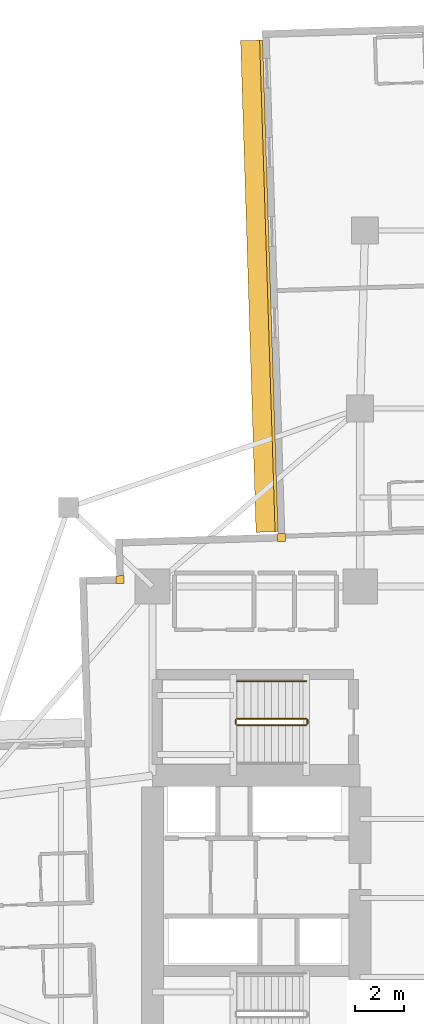
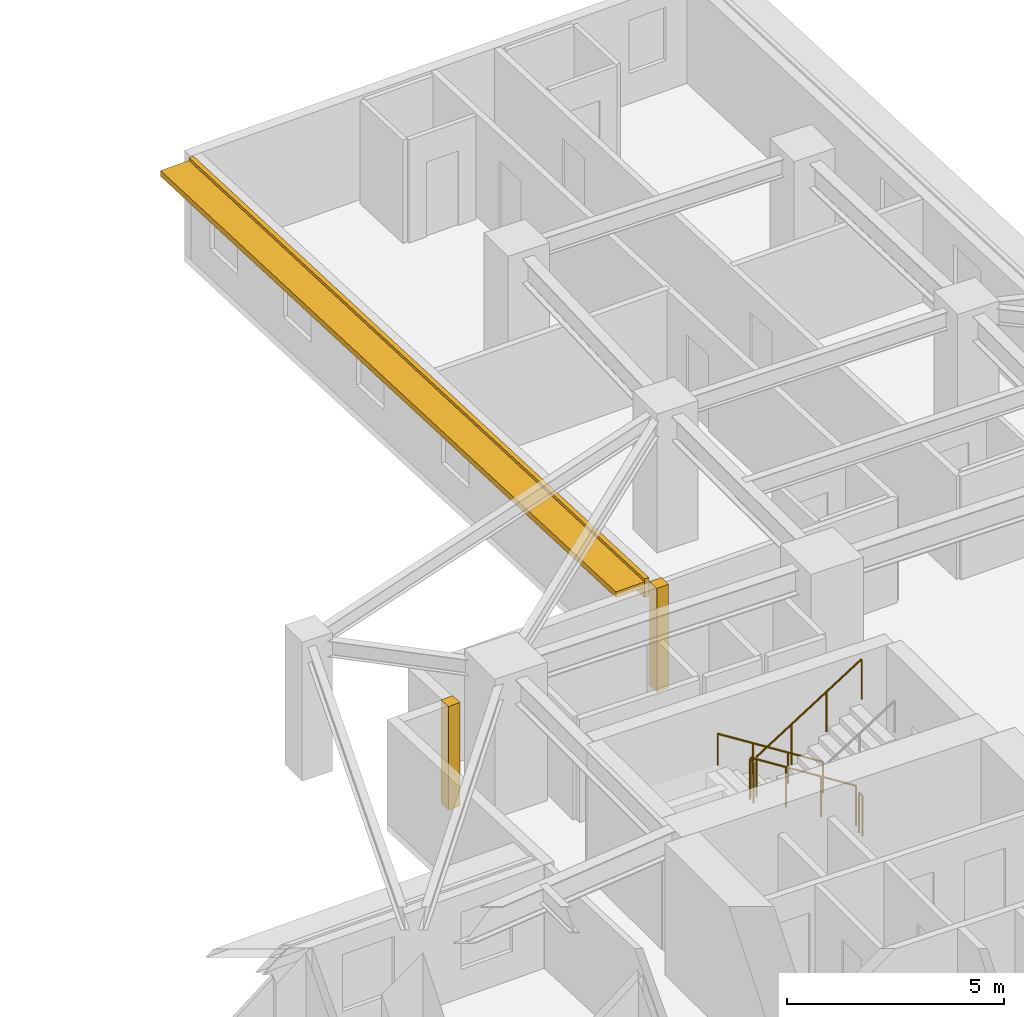
# One storey, part 13 of 14: 5 railings, 3 coverings, 1 shading device.
"""IFC4 building model written with IfcOpenShell, lengths in metres."""

from ifc_helpers import new_model, si_unit, direction, frame, origin, origin_2d, place, context, subcontext, project, spatial, rectangle, circle, extrude, material, layer, layer_set, type_object, element, save


model = new_model("IFC4")

# Units and contexts
model_context = context("Model", 3, precision=1e-05, world=origin(), true_north=direction((0.0, 1.0)))
body_context = subcontext(model_context, "Body", "Model", "MODEL_VIEW")
ifc_project = project(units=[si_unit("LENGTHUNIT", "METRE"), si_unit("AREAUNIT", "SQUARE_METRE"), si_unit("VOLUMEUNIT", "CUBIC_METRE"), si_unit("PLANEANGLEUNIT", "RADIAN"), si_unit("MASSUNIT", "GRAM", prefix="KILO")], contexts=[model_context])

# Site, building, storey
site_placement = place(None, origin())
site = spatial("IfcSite", under=ifc_project, at=site_placement, CompositionType="ELEMENT")
building_placement = place(site_placement, origin())
building = spatial("IfcBuilding", under=site, at=building_placement, Name="Qingluan Cross Belvedere", CompositionType="ELEMENT")
storey_placement = place(building_placement, frame((0.0, 0.0, 56.10009765625)))
storey = spatial("IfcBuildingStorey", under=building, at=storey_placement, Name="L14", CompositionType="ELEMENT", Elevation=56.10009765625)

# Coverings
ifc_material_1 = material(Name="Precast concrete C45", Category="concrete")
ifc_layer_1 = layer(ifc_material_1, 0.1201171875, Name="ConcreteSpandrelCladding_120")
ifc_layer_set_1 = layer_set([ifc_layer_1], Name="Precast concrete C45")
covering_type = type_object("IfcCoveringType", Name="ConcreteSpandrelCladding_120", PredefinedType="CLADDING", material=ifc_layer_set_1)
covering_placement = place(storey_placement, frame((-7.691650390625, 24.760498046875, 2.449951171875), z_axis=(0.0, 0.0, 1.0), x_axis=(0.031407934627, -0.999506649124, 0.0)))
element("IfcCovering", 1, at=covering_placement, inside=storey, type_object=covering_type, Name="Spandrel cladding L14-NB", PredefinedType="CLADDING", context=body_context, shape_type="SweptSolid", body=[
    extrude(rectangle(XDim=19.89990234375, YDim=0.1201171875, at=origin_2d()), origin(), (0.0, 0.0, 1.0), 0.52001953125),
])
for number, where, z_axis, x_axis, name in (
    (2, (-13.711181640625, 12.875732421875, 0.0), (0.0, 0.0, 1.0), (0.999506560366, 0.031410759078, 0.0), "Corner closure L14-NW1"),
    (3, (-7.181640625, 14.58154296875, 0.0), (0.0, 0.0, 1.0), (0.999506560366, 0.031410759078, 0.0), "Corner closure L14-NW2"),
):
    element("IfcCovering", number, at=place(storey_placement, frame(where, z_axis=z_axis, x_axis=x_axis)), inside=storey, type_object=covering_type, Name=name, PredefinedType="CLADDING", context=body_context, shape_type="SweptSolid", body=[
        extrude(rectangle(XDim=0.320068359375, YDim=0.320068359375, at=origin_2d()), origin(), (0.0, 0.0, 1.0), 2.909912109375),
    ])

# Shading device
ifc_material_2 = material(Name="Precast concrete C45", Category="concrete")
ifc_layer_2 = layer(ifc_material_2, 0.159912109375, Name="ConcreteSunshadeBand_900")
ifc_layer_set_2 = layer_set([ifc_layer_2], Name="Precast concrete C45")
shading_device_type = type_object("IfcShadingDeviceType", Name="ConcreteSunshadeBand_900", PredefinedType="USERDEFINED", material=ifc_layer_set_2)
shading_device_placement = place(storey_placement, frame((-8.0712890625, 24.74853515625, 2.72998046875), z_axis=(0.0, 0.0, 1.0), x_axis=(0.031407934627, -0.999506649124, 0.0)))
element("IfcShadingDevice", 4, at=shading_device_placement, inside=storey, type_object=shading_device_type, Name="Concrete SUNSHADE L14-NB", ObjectType="SUNSHADE", PredefinedType="USERDEFINED", context=body_context, shape_type="SweptSolid", body=[
    extrude(rectangle(XDim=19.89990234375, YDim=0.89990234375, at=origin_2d()), origin(), (0.0, 0.0, 1.0), 0.159912109375),
])

# Railings
ifc_material_3 = material(Name="Brushed stainless steel tubular handrail", Category="steel")
railing_type_1 = type_object("IfcRailingType", Name="StairPitchHandrail_900", PredefinedType="HANDRAIL", material=ifc_material_3)
railing_1_placement = place(storey_placement, frame((-6.179931640625, 8.77001953125, 0.17724609375)))
element("IfcRailing", 5, at=railing_1_placement, inside=storey, type_object=railing_type_1, Name="L14 ST3 stair handrail 1", PredefinedType="HANDRAIL", context=body_context, shape_type="SweptSolid", body=[
    extrude(circle(Radius=0.02392578125, at=origin_2d()), frame((0.0, 0.0, 0.8759765625), z_axis=(-0.844908973607, 0.0, 0.534910110503), x_axis=(0.0, -1.0, 0.0)), (0.0, 0.0, 1.0), 3.31396484375),
    extrude(circle(Radius=0.02099609375, at=origin_2d()), origin(), (0.0, 0.0, 1.0), 0.851806640625),
    extrude(circle(Radius=0.02099609375, at=origin_2d()), frame((-0.933349609375, 0.0, 0.5908203125)), (0.0, 0.0, 1.0), 0.851806640625),
    extrude(circle(Radius=0.02099609375, at=origin_2d()), frame((-1.86669921875, 0.0, 1.181884765625)), (0.0, 0.0, 1.0), 0.851806640625),
    extrude(circle(Radius=0.02099609375, at=origin_2d()), frame((-2.800048828125, 0.0, 1.772705078125)), (0.0, 0.0, 1.0), 0.851806640625),
])
ifc_material_4 = material(Name="Painted steel stair well guard", Category="steel")
railing_type_2 = type_object("IfcRailingType", Name="StairWellGuard_1150", PredefinedType="BALUSTRADE", material=ifc_material_4)
railing_2_placement = place(storey_placement, frame((-6.179931640625, 7.25, 0.17724609375)))
element("IfcRailing", 6, at=railing_2_placement, inside=storey, type_object=railing_type_2, Name="L14 ST3 stair guard 1", PredefinedType="BALUSTRADE", context=body_context, shape_type="SweptSolid", body=[
    extrude(circle(Radius=0.02392578125, at=origin_2d()), frame((0.0, 0.0, 1.1259765625), z_axis=(-0.844908973607, 0.0, 0.534910110503), x_axis=(0.0, -1.0, 0.0)), (0.0, 0.0, 1.0), 3.31396484375),
    extrude(circle(Radius=0.02099609375, at=origin_2d()), origin(), (0.0, 0.0, 1.0), 1.101806640625),
    extrude(circle(Radius=0.02099609375, at=origin_2d()), frame((-0.933349609375, 0.0, 0.5908203125)), (0.0, 0.0, 1.0), 1.101806640625),
    extrude(circle(Radius=0.02099609375, at=origin_2d()), frame((-1.86669921875, 0.0, 1.181884765625)), (0.0, 0.0, 1.0), 1.101806640625),
    extrude(circle(Radius=0.02099609375, at=origin_2d()), frame((-2.800048828125, 0.0, 1.772705078125)), (0.0, 0.0, 1.0), 1.101806640625),
])
railing_3_placement = place(storey_placement, frame((-9.030029296875, 7.199951171875, 1.949951171875)))
element("IfcRailing", 7, at=railing_3_placement, inside=storey, type_object=railing_type_2, Name="L14 ST3 stair guard 2", PredefinedType="BALUSTRADE", context=body_context, shape_type="SweptSolid", body=[
    extrude(circle(Radius=0.02392578125, at=origin_2d()), frame((0.0, 0.0, 1.1259765625), z_axis=(0.0, -1.0, 0.0), x_axis=(1.0, 0.0, 0.0)), (0.0, 0.0, 1.0), 0.159912109375),
    extrude(circle(Radius=0.02099609375, at=origin_2d()), origin(), (0.0, 0.0, 1.0), 1.101806640625),
    extrude(circle(Radius=0.02099609375, at=origin_2d()), frame((0.0, -0.159912109375, 0.0)), (0.0, 0.0, 1.0), 1.101806640625),
])
railing_4_placement = place(storey_placement, frame((-8.97998046875, 6.989990234375, 2.127197265625)))
element("IfcRailing", 8, at=railing_4_placement, inside=storey, type_object=railing_type_2, Name="L14 ST3 stair guard 3", PredefinedType="BALUSTRADE", context=body_context, shape_type="SweptSolid", body=[
    extrude(circle(Radius=0.02392578125, at=origin_2d()), frame((0.0, 0.0, 1.1259765625), z_axis=(0.844908973607, 0.0, 0.534910110503), x_axis=(0.0, 1.0, 0.0)), (0.0, 0.0, 1.0), 3.31396484375),
    extrude(circle(Radius=0.02099609375, at=origin_2d()), origin(), (0.0, 0.0, 1.0), 1.101806640625),
    extrude(circle(Radius=0.02099609375, at=origin_2d()), frame((0.933349609375, 0.0, 0.5908203125)), (0.0, 0.0, 1.0), 1.101806640625),
    extrude(circle(Radius=0.02099609375, at=origin_2d()), frame((1.86669921875, 0.0, 1.181884765625)), (0.0, 0.0, 1.0), 1.101806640625),
    extrude(circle(Radius=0.02099609375, at=origin_2d()), frame((2.800048828125, 0.0, 1.772705078125)), (0.0, 0.0, 1.0), 1.101806640625),
])
railing_5_placement = place(storey_placement, frame((-6.1298828125, 7.199951171875, 0.0)))
element("IfcRailing", 9, at=railing_5_placement, inside=storey, type_object=railing_type_2, Name="L14 ST3 stair guard 4", PredefinedType="BALUSTRADE", context=body_context, shape_type="SweptSolid", body=[
    extrude(circle(Radius=0.02392578125, at=origin_2d()), frame((0.0, 0.0, 1.1259765625), z_axis=(0.0, -1.0, 0.0), x_axis=(1.0, 0.0, 0.0)), (0.0, 0.0, 1.0), 0.159912109375),
    extrude(circle(Radius=0.02099609375, at=origin_2d()), origin(), (0.0, 0.0, 1.0), 1.101806640625),
    extrude(circle(Radius=0.02099609375, at=origin_2d()), frame((0.0, -0.159912109375, 0.0)), (0.0, 0.0, 1.0), 1.101806640625),
])

save(model, "model.ifc")
